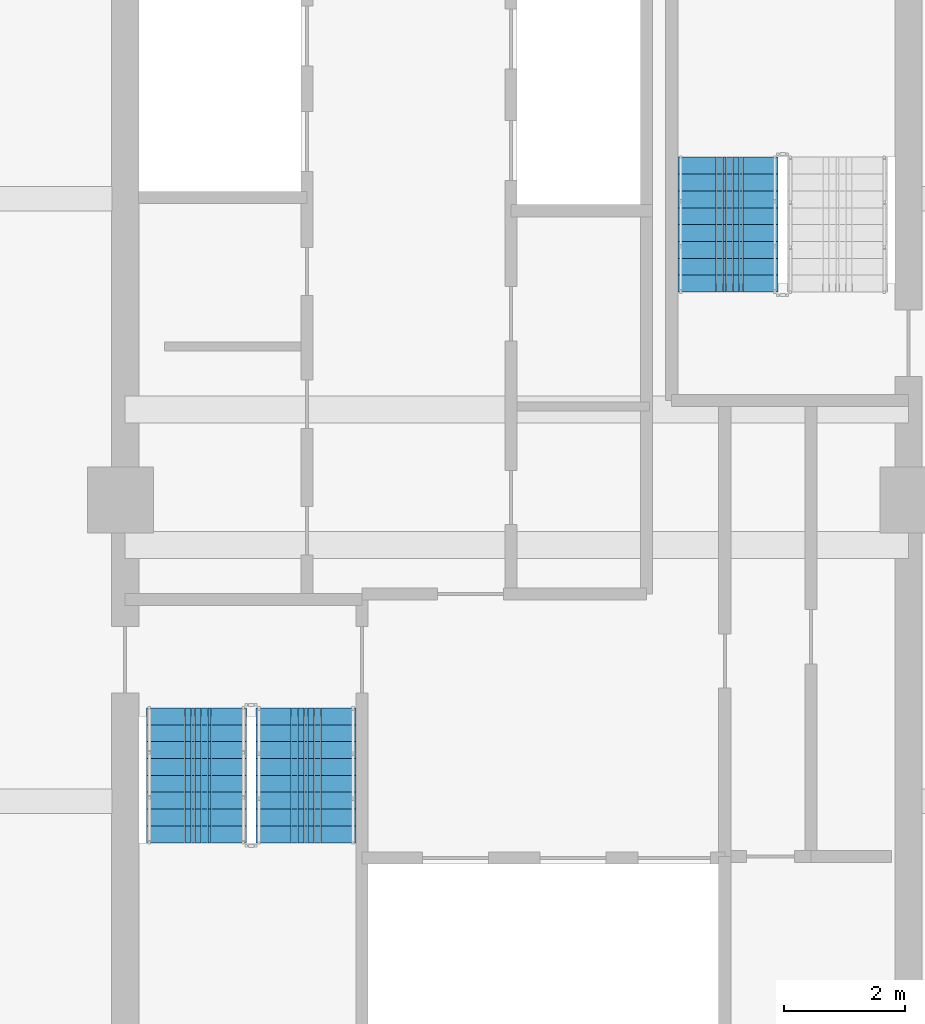
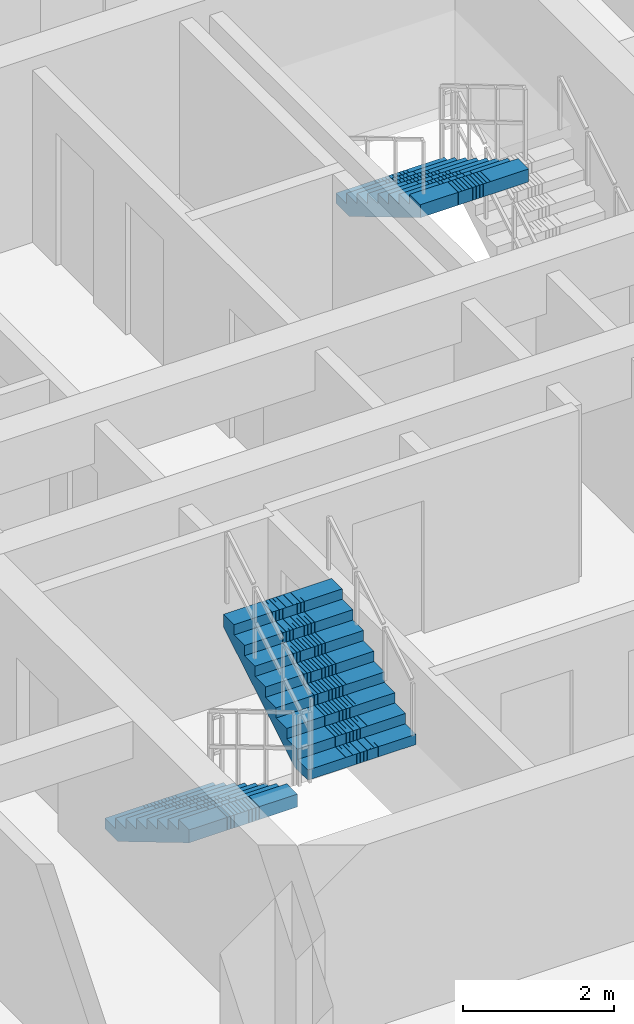
# One storey, part 16 of 22: 3 stair flights, 2 elements without a shape of their own.
"""IFC4 building model written with IfcOpenShell, lengths in metres."""

from ifc_helpers import new_model, si_unit, direction, frame, origin, place, context, subcontext, project, spatial, polyline, outline, extrude, material, type_object, element, aggregate, save


model = new_model("IFC4")

# Units and contexts
model_context = context("Model", 3, precision=1e-05, world=origin(), true_north=direction((0.0, 1.0)))
body_context = subcontext(model_context, "Body", "Model", "MODEL_VIEW")
ifc_project = project(units=[si_unit("LENGTHUNIT", "METRE"), si_unit("AREAUNIT", "SQUARE_METRE"), si_unit("VOLUMEUNIT", "CUBIC_METRE"), si_unit("PLANEANGLEUNIT", "RADIAN"), si_unit("MASSUNIT", "GRAM", prefix="KILO")], contexts=[model_context])

# Site, building, storey
site_placement = place(None, origin())
site = spatial("IfcSite", under=ifc_project, at=site_placement, CompositionType="ELEMENT")
building_placement = place(site_placement, origin())
building = spatial("IfcBuilding", under=site, at=building_placement, Name="Saelheon Loggia Tower", CompositionType="ELEMENT")
storey_placement = place(building_placement, frame((0.0, 0.0, 176.800048828125)))
storey = spatial("IfcBuildingStorey", under=building, at=storey_placement, Name="L55", CompositionType="ELEMENT", Elevation=176.800048828125)

# Stair, stair flights
ifc_material = material(Name="Concrete C40/50", Category="concrete")
stair_type = type_object("IfcStairType", Name="Stair_Escape_Core", PredefinedType="HALF_TURN_STAIR", material=ifc_material)
stair_1_placement = place(storey_placement, origin())
stair_1 = element("IfcStair", 1, at=stair_1_placement, inside=storey, type_object=stair_type, Name="L55 Special Escape Stair ST1", PredefinedType="HALF_TURN_STAIR")
stair_flight_type = type_object("IfcStairFlightType", Name="StairFlight_Tower_1660", PredefinedType="STRAIGHT", material=ifc_material)
stair_flight_1_placement = place(storey_placement, frame((32.679931640625, 23.550048828125, 0.0), z_axis=(0.0, 0.0, 1.0), x_axis=(0.0, -1.0, 0.0)))
stair_flight_1 = element("IfcStairFlight", 2, at=stair_flight_1_placement, type_object=stair_flight_type, Name="ST1 flight 1", NumberOfRisers=9, NumberOfTreads=8, PredefinedType="STRAIGHT", RiserHeight=0.166666667, TreadLength=0.28, context=body_context, shape_type="SweptSolid", body=[
    extrude(outline(polyline([(0.0, 0.0), (0.0, 0.166748046875), (0.280029296875, 0.166748046875), (0.280029296875, 0.333251953125), (0.56005859375, 0.333251953125), (0.56005859375, 0.5), (0.840087890625, 0.5), (0.840087890625, 0.666748046875), (1.1201171875, 0.666748046875), (1.1201171875, 0.833251953125), (1.39990234375, 0.833251953125), (1.39990234375, 1.0), (1.679931640625, 1.0), (1.679931640625, 1.166748046875), (1.9599609375, 1.166748046875), (1.9599609375, 1.333251953125), (2.239990234375, 1.333251953125), (2.239990234375, 1.5), (2.239990234375, 1.1240234375), (0.351806640625, 0.0), (0.0, 0.0)])), frame((0.0, -0.2490234375, 0.0), z_axis=(0.0, -1.0, 0.0), x_axis=(1.0, 0.0, 0.0)), (0.0, 0.0, 1.0), 0.5810546875),
    extrude(outline(polyline([(0.0, 0.0), (0.0, 0.166748046875), (0.280029296875, 0.166748046875), (0.280029296875, 0.333251953125), (0.56005859375, 0.333251953125), (0.56005859375, 0.5), (0.840087890625, 0.5), (0.840087890625, 0.666748046875), (1.1201171875, 0.666748046875), (1.1201171875, 0.833251953125), (1.39990234375, 0.833251953125), (1.39990234375, 1.0), (1.679931640625, 1.0), (1.679931640625, 1.166748046875), (1.9599609375, 1.166748046875), (1.9599609375, 1.333251953125), (2.239990234375, 1.333251953125), (2.239990234375, 1.5), (2.239990234375, 1.1240234375), (0.351806640625, 0.0), (0.0, 0.0)])), frame((0.0, -0.194091796875, 0.0), z_axis=(0.0, -1.0, 0.0), x_axis=(1.0, 0.0, 0.0)), (0.0, 0.0, 1.0), 0.0498046875),
    extrude(outline(polyline([(0.0, 0.0), (0.0, 0.166748046875), (0.280029296875, 0.166748046875), (0.280029296875, 0.333251953125), (0.56005859375, 0.333251953125), (0.56005859375, 0.5), (0.840087890625, 0.5), (0.840087890625, 0.666748046875), (1.1201171875, 0.666748046875), (1.1201171875, 0.833251953125), (1.39990234375, 0.833251953125), (1.39990234375, 1.0), (1.679931640625, 1.0), (1.679931640625, 1.166748046875), (1.9599609375, 1.166748046875), (1.9599609375, 1.333251953125), (2.239990234375, 1.333251953125), (2.239990234375, 1.5), (2.239990234375, 1.1240234375), (0.351806640625, 0.0), (0.0, 0.0)])), frame((0.0, -0.139404296875, 0.0), z_axis=(0.0, -1.0, 0.0), x_axis=(1.0, 0.0, 0.0)), (0.0, 0.0, 1.0), 0.0498046875),
    extrude(outline(polyline([(0.0, 0.0), (0.0, 0.166748046875), (0.280029296875, 0.166748046875), (0.280029296875, 0.333251953125), (0.56005859375, 0.333251953125), (0.56005859375, 0.5), (0.840087890625, 0.5), (0.840087890625, 0.666748046875), (1.1201171875, 0.666748046875), (1.1201171875, 0.833251953125), (1.39990234375, 0.833251953125), (1.39990234375, 1.0), (1.679931640625, 1.0), (1.679931640625, 1.166748046875), (1.9599609375, 1.166748046875), (1.9599609375, 1.333251953125), (2.239990234375, 1.333251953125), (2.239990234375, 1.5), (2.239990234375, 1.1240234375), (0.351806640625, 0.0), (0.0, 0.0)])), frame((0.0, -0.084716796875, 0.0), z_axis=(0.0, -1.0, 0.0), x_axis=(1.0, 0.0, 0.0)), (0.0, 0.0, 1.0), 0.0498046875),
    extrude(outline(polyline([(0.0, 0.0), (0.0, 0.166748046875), (0.280029296875, 0.166748046875), (0.280029296875, 0.333251953125), (0.56005859375, 0.333251953125), (0.56005859375, 0.5), (0.840087890625, 0.5), (0.840087890625, 0.666748046875), (1.1201171875, 0.666748046875), (1.1201171875, 0.833251953125), (1.39990234375, 0.833251953125), (1.39990234375, 1.0), (1.679931640625, 1.0), (1.679931640625, 1.166748046875), (1.9599609375, 1.166748046875), (1.9599609375, 1.333251953125), (2.239990234375, 1.333251953125), (2.239990234375, 1.5), (2.239990234375, 1.1240234375), (0.351806640625, 0.0), (0.0, 0.0)])), frame((0.0, -0.02978515625, 0.0), z_axis=(0.0, -1.0, 0.0), x_axis=(1.0, 0.0, 0.0)), (0.0, 0.0, 1.0), 0.0498046875),
    extrude(outline(polyline([(0.0, 0.0), (0.0, 0.166748046875), (0.280029296875, 0.166748046875), (0.280029296875, 0.333251953125), (0.56005859375, 0.333251953125), (0.56005859375, 0.5), (0.840087890625, 0.5), (0.840087890625, 0.666748046875), (1.1201171875, 0.666748046875), (1.1201171875, 0.833251953125), (1.39990234375, 0.833251953125), (1.39990234375, 1.0), (1.679931640625, 1.0), (1.679931640625, 1.166748046875), (1.9599609375, 1.166748046875), (1.9599609375, 1.333251953125), (2.239990234375, 1.333251953125), (2.239990234375, 1.5), (2.239990234375, 1.1240234375), (0.351806640625, 0.0), (0.0, 0.0)])), frame((0.0, 0.02490234375, 0.0), z_axis=(0.0, -1.0, 0.0), x_axis=(1.0, 0.0, 0.0)), (0.0, 0.0, 1.0), 0.0498046875),
    extrude(outline(polyline([(0.0, 0.0), (0.0, 0.166748046875), (0.280029296875, 0.166748046875), (0.280029296875, 0.333251953125), (0.56005859375, 0.333251953125), (0.56005859375, 0.5), (0.840087890625, 0.5), (0.840087890625, 0.666748046875), (1.1201171875, 0.666748046875), (1.1201171875, 0.833251953125), (1.39990234375, 0.833251953125), (1.39990234375, 1.0), (1.679931640625, 1.0), (1.679931640625, 1.166748046875), (1.9599609375, 1.166748046875), (1.9599609375, 1.333251953125), (2.239990234375, 1.333251953125), (2.239990234375, 1.5), (2.239990234375, 1.1240234375), (0.351806640625, 0.0), (0.0, 0.0)])), frame((0.0, 0.07958984375, 0.0), z_axis=(0.0, -1.0, 0.0), x_axis=(1.0, 0.0, 0.0)), (0.0, 0.0, 1.0), 0.0498046875),
    extrude(outline(polyline([(0.0, 0.0), (0.0, 0.166748046875), (0.280029296875, 0.166748046875), (0.280029296875, 0.333251953125), (0.56005859375, 0.333251953125), (0.56005859375, 0.5), (0.840087890625, 0.5), (0.840087890625, 0.666748046875), (1.1201171875, 0.666748046875), (1.1201171875, 0.833251953125), (1.39990234375, 0.833251953125), (1.39990234375, 1.0), (1.679931640625, 1.0), (1.679931640625, 1.166748046875), (1.9599609375, 1.166748046875), (1.9599609375, 1.333251953125), (2.239990234375, 1.333251953125), (2.239990234375, 1.5), (2.239990234375, 1.1240234375), (0.351806640625, 0.0), (0.0, 0.0)])), frame((0.0, 0.134521484375, 0.0), z_axis=(0.0, -1.0, 0.0), x_axis=(1.0, 0.0, 0.0)), (0.0, 0.0, 1.0), 0.0498046875),
    extrude(outline(polyline([(0.0, 0.0), (0.0, 0.166748046875), (0.280029296875, 0.166748046875), (0.280029296875, 0.333251953125), (0.56005859375, 0.333251953125), (0.56005859375, 0.5), (0.840087890625, 0.5), (0.840087890625, 0.666748046875), (1.1201171875, 0.666748046875), (1.1201171875, 0.833251953125), (1.39990234375, 0.833251953125), (1.39990234375, 1.0), (1.679931640625, 1.0), (1.679931640625, 1.166748046875), (1.9599609375, 1.166748046875), (1.9599609375, 1.333251953125), (2.239990234375, 1.333251953125), (2.239990234375, 1.5), (2.239990234375, 1.1240234375), (0.351806640625, 0.0), (0.0, 0.0)])), frame((0.0, 0.189208984375, 0.0), z_axis=(0.0, -1.0, 0.0), x_axis=(1.0, 0.0, 0.0)), (0.0, 0.0, 1.0), 0.0498046875),
    extrude(outline(polyline([(0.0, 0.0), (0.0, 0.166748046875), (0.280029296875, 0.166748046875), (0.280029296875, 0.333251953125), (0.56005859375, 0.333251953125), (0.56005859375, 0.5), (0.840087890625, 0.5), (0.840087890625, 0.666748046875), (1.1201171875, 0.666748046875), (1.1201171875, 0.833251953125), (1.39990234375, 0.833251953125), (1.39990234375, 1.0), (1.679931640625, 1.0), (1.679931640625, 1.166748046875), (1.9599609375, 1.166748046875), (1.9599609375, 1.333251953125), (2.239990234375, 1.333251953125), (2.239990234375, 1.5), (2.239990234375, 1.1240234375), (0.351806640625, 0.0), (0.0, 0.0)])), frame((0.0, 0.243896484375, 0.0), z_axis=(0.0, -1.0, 0.0), x_axis=(1.0, 0.0, 0.0)), (0.0, 0.0, 1.0), 0.0498046875),
    extrude(outline(polyline([(0.0, 0.0), (0.0, 0.166748046875), (0.280029296875, 0.166748046875), (0.280029296875, 0.333251953125), (0.56005859375, 0.333251953125), (0.56005859375, 0.5), (0.840087890625, 0.5), (0.840087890625, 0.666748046875), (1.1201171875, 0.666748046875), (1.1201171875, 0.833251953125), (1.39990234375, 0.833251953125), (1.39990234375, 1.0), (1.679931640625, 1.0), (1.679931640625, 1.166748046875), (1.9599609375, 1.166748046875), (1.9599609375, 1.333251953125), (2.239990234375, 1.333251953125), (2.239990234375, 1.5), (2.239990234375, 1.1240234375), (0.351806640625, 0.0), (0.0, 0.0)])), frame((0.0, 0.830078125, 0.0), z_axis=(0.0, -1.0, 0.0), x_axis=(1.0, 0.0, 0.0)), (0.0, 0.0, 1.0), 0.5810546875),
])
stair_flight_2_placement = place(storey_placement, frame((34.5, 21.31005859375, 1.5), z_axis=(0.0, 0.0, 1.0), x_axis=(0.0, 1.0, 0.0)))
stair_flight_2 = element("IfcStairFlight", 3, at=stair_flight_2_placement, type_object=stair_flight_type, Name="ST1 flight 2", NumberOfRisers=9, NumberOfTreads=8, PredefinedType="STRAIGHT", RiserHeight=0.166666667, TreadLength=0.28, context=body_context, shape_type="SweptSolid", body=[
    extrude(outline(polyline([(0.0, 0.0), (0.0, 0.166748046875), (0.280029296875, 0.166748046875), (0.280029296875, 0.333251953125), (0.56005859375, 0.333251953125), (0.56005859375, 0.5), (0.840087890625, 0.5), (0.840087890625, 0.666748046875), (1.1201171875, 0.666748046875), (1.1201171875, 0.833251953125), (1.39990234375, 0.833251953125), (1.39990234375, 1.0), (1.679931640625, 1.0), (1.679931640625, 1.166748046875), (1.9599609375, 1.166748046875), (1.9599609375, 1.333251953125), (2.239990234375, 1.333251953125), (2.239990234375, 1.5), (2.239990234375, 1.1240234375), (0.351806640625, 0.0), (0.0, 0.0)])), frame((0.0, -0.2490234375, 0.0), z_axis=(0.0, -1.0, 0.0), x_axis=(1.0, 0.0, 0.0)), (0.0, 0.0, 1.0), 0.5810546875),
    extrude(outline(polyline([(0.0, 0.0), (0.0, 0.166748046875), (0.280029296875, 0.166748046875), (0.280029296875, 0.333251953125), (0.56005859375, 0.333251953125), (0.56005859375, 0.5), (0.840087890625, 0.5), (0.840087890625, 0.666748046875), (1.1201171875, 0.666748046875), (1.1201171875, 0.833251953125), (1.39990234375, 0.833251953125), (1.39990234375, 1.0), (1.679931640625, 1.0), (1.679931640625, 1.166748046875), (1.9599609375, 1.166748046875), (1.9599609375, 1.333251953125), (2.239990234375, 1.333251953125), (2.239990234375, 1.5), (2.239990234375, 1.1240234375), (0.351806640625, 0.0), (0.0, 0.0)])), frame((0.0, -0.194091796875, 0.0), z_axis=(0.0, -1.0, 0.0), x_axis=(1.0, 0.0, 0.0)), (0.0, 0.0, 1.0), 0.0498046875),
    extrude(outline(polyline([(0.0, 0.0), (0.0, 0.166748046875), (0.280029296875, 0.166748046875), (0.280029296875, 0.333251953125), (0.56005859375, 0.333251953125), (0.56005859375, 0.5), (0.840087890625, 0.5), (0.840087890625, 0.666748046875), (1.1201171875, 0.666748046875), (1.1201171875, 0.833251953125), (1.39990234375, 0.833251953125), (1.39990234375, 1.0), (1.679931640625, 1.0), (1.679931640625, 1.166748046875), (1.9599609375, 1.166748046875), (1.9599609375, 1.333251953125), (2.239990234375, 1.333251953125), (2.239990234375, 1.5), (2.239990234375, 1.1240234375), (0.351806640625, 0.0), (0.0, 0.0)])), frame((0.0, -0.139404296875, 0.0), z_axis=(0.0, -1.0, 0.0), x_axis=(1.0, 0.0, 0.0)), (0.0, 0.0, 1.0), 0.0498046875),
    extrude(outline(polyline([(0.0, 0.0), (0.0, 0.166748046875), (0.280029296875, 0.166748046875), (0.280029296875, 0.333251953125), (0.56005859375, 0.333251953125), (0.56005859375, 0.5), (0.840087890625, 0.5), (0.840087890625, 0.666748046875), (1.1201171875, 0.666748046875), (1.1201171875, 0.833251953125), (1.39990234375, 0.833251953125), (1.39990234375, 1.0), (1.679931640625, 1.0), (1.679931640625, 1.166748046875), (1.9599609375, 1.166748046875), (1.9599609375, 1.333251953125), (2.239990234375, 1.333251953125), (2.239990234375, 1.5), (2.239990234375, 1.1240234375), (0.351806640625, 0.0), (0.0, 0.0)])), frame((0.0, -0.084716796875, 0.0), z_axis=(0.0, -1.0, 0.0), x_axis=(1.0, 0.0, 0.0)), (0.0, 0.0, 1.0), 0.0498046875),
    extrude(outline(polyline([(0.0, 0.0), (0.0, 0.166748046875), (0.280029296875, 0.166748046875), (0.280029296875, 0.333251953125), (0.56005859375, 0.333251953125), (0.56005859375, 0.5), (0.840087890625, 0.5), (0.840087890625, 0.666748046875), (1.1201171875, 0.666748046875), (1.1201171875, 0.833251953125), (1.39990234375, 0.833251953125), (1.39990234375, 1.0), (1.679931640625, 1.0), (1.679931640625, 1.166748046875), (1.9599609375, 1.166748046875), (1.9599609375, 1.333251953125), (2.239990234375, 1.333251953125), (2.239990234375, 1.5), (2.239990234375, 1.1240234375), (0.351806640625, 0.0), (0.0, 0.0)])), frame((0.0, -0.02978515625, 0.0), z_axis=(0.0, -1.0, 0.0), x_axis=(1.0, 0.0, 0.0)), (0.0, 0.0, 1.0), 0.0498046875),
    extrude(outline(polyline([(0.0, 0.0), (0.0, 0.166748046875), (0.280029296875, 0.166748046875), (0.280029296875, 0.333251953125), (0.56005859375, 0.333251953125), (0.56005859375, 0.5), (0.840087890625, 0.5), (0.840087890625, 0.666748046875), (1.1201171875, 0.666748046875), (1.1201171875, 0.833251953125), (1.39990234375, 0.833251953125), (1.39990234375, 1.0), (1.679931640625, 1.0), (1.679931640625, 1.166748046875), (1.9599609375, 1.166748046875), (1.9599609375, 1.333251953125), (2.239990234375, 1.333251953125), (2.239990234375, 1.5), (2.239990234375, 1.1240234375), (0.351806640625, 0.0), (0.0, 0.0)])), frame((0.0, 0.02490234375, 0.0), z_axis=(0.0, -1.0, 0.0), x_axis=(1.0, 0.0, 0.0)), (0.0, 0.0, 1.0), 0.0498046875),
    extrude(outline(polyline([(0.0, 0.0), (0.0, 0.166748046875), (0.280029296875, 0.166748046875), (0.280029296875, 0.333251953125), (0.56005859375, 0.333251953125), (0.56005859375, 0.5), (0.840087890625, 0.5), (0.840087890625, 0.666748046875), (1.1201171875, 0.666748046875), (1.1201171875, 0.833251953125), (1.39990234375, 0.833251953125), (1.39990234375, 1.0), (1.679931640625, 1.0), (1.679931640625, 1.166748046875), (1.9599609375, 1.166748046875), (1.9599609375, 1.333251953125), (2.239990234375, 1.333251953125), (2.239990234375, 1.5), (2.239990234375, 1.1240234375), (0.351806640625, 0.0), (0.0, 0.0)])), frame((0.0, 0.07958984375, 0.0), z_axis=(0.0, -1.0, 0.0), x_axis=(1.0, 0.0, 0.0)), (0.0, 0.0, 1.0), 0.0498046875),
    extrude(outline(polyline([(0.0, 0.0), (0.0, 0.166748046875), (0.280029296875, 0.166748046875), (0.280029296875, 0.333251953125), (0.56005859375, 0.333251953125), (0.56005859375, 0.5), (0.840087890625, 0.5), (0.840087890625, 0.666748046875), (1.1201171875, 0.666748046875), (1.1201171875, 0.833251953125), (1.39990234375, 0.833251953125), (1.39990234375, 1.0), (1.679931640625, 1.0), (1.679931640625, 1.166748046875), (1.9599609375, 1.166748046875), (1.9599609375, 1.333251953125), (2.239990234375, 1.333251953125), (2.239990234375, 1.5), (2.239990234375, 1.1240234375), (0.351806640625, 0.0), (0.0, 0.0)])), frame((0.0, 0.134521484375, 0.0), z_axis=(0.0, -1.0, 0.0), x_axis=(1.0, 0.0, 0.0)), (0.0, 0.0, 1.0), 0.0498046875),
    extrude(outline(polyline([(0.0, 0.0), (0.0, 0.166748046875), (0.280029296875, 0.166748046875), (0.280029296875, 0.333251953125), (0.56005859375, 0.333251953125), (0.56005859375, 0.5), (0.840087890625, 0.5), (0.840087890625, 0.666748046875), (1.1201171875, 0.666748046875), (1.1201171875, 0.833251953125), (1.39990234375, 0.833251953125), (1.39990234375, 1.0), (1.679931640625, 1.0), (1.679931640625, 1.166748046875), (1.9599609375, 1.166748046875), (1.9599609375, 1.333251953125), (2.239990234375, 1.333251953125), (2.239990234375, 1.5), (2.239990234375, 1.1240234375), (0.351806640625, 0.0), (0.0, 0.0)])), frame((0.0, 0.189208984375, 0.0), z_axis=(0.0, -1.0, 0.0), x_axis=(1.0, 0.0, 0.0)), (0.0, 0.0, 1.0), 0.0498046875),
    extrude(outline(polyline([(0.0, 0.0), (0.0, 0.166748046875), (0.280029296875, 0.166748046875), (0.280029296875, 0.333251953125), (0.56005859375, 0.333251953125), (0.56005859375, 0.5), (0.840087890625, 0.5), (0.840087890625, 0.666748046875), (1.1201171875, 0.666748046875), (1.1201171875, 0.833251953125), (1.39990234375, 0.833251953125), (1.39990234375, 1.0), (1.679931640625, 1.0), (1.679931640625, 1.166748046875), (1.9599609375, 1.166748046875), (1.9599609375, 1.333251953125), (2.239990234375, 1.333251953125), (2.239990234375, 1.5), (2.239990234375, 1.1240234375), (0.351806640625, 0.0), (0.0, 0.0)])), frame((0.0, 0.243896484375, 0.0), z_axis=(0.0, -1.0, 0.0), x_axis=(1.0, 0.0, 0.0)), (0.0, 0.0, 1.0), 0.0498046875),
    extrude(outline(polyline([(0.0, 0.0), (0.0, 0.166748046875), (0.280029296875, 0.166748046875), (0.280029296875, 0.333251953125), (0.56005859375, 0.333251953125), (0.56005859375, 0.5), (0.840087890625, 0.5), (0.840087890625, 0.666748046875), (1.1201171875, 0.666748046875), (1.1201171875, 0.833251953125), (1.39990234375, 0.833251953125), (1.39990234375, 1.0), (1.679931640625, 1.0), (1.679931640625, 1.166748046875), (1.9599609375, 1.166748046875), (1.9599609375, 1.333251953125), (2.239990234375, 1.333251953125), (2.239990234375, 1.5), (2.239990234375, 1.1240234375), (0.351806640625, 0.0), (0.0, 0.0)])), frame((0.0, 0.830078125, 0.0), z_axis=(0.0, -1.0, 0.0), x_axis=(1.0, 0.0, 0.0)), (0.0, 0.0, 1.0), 0.5810546875),
])
aggregate(stair_1, [stair_flight_1, stair_flight_2])

# Stair, stair flight
stair_2_placement = place(storey_placement, origin())
stair_2 = element("IfcStair", 4, at=stair_2_placement, inside=storey, type_object=stair_type, Name="L55 Special Escape Stair ST2", PredefinedType="HALF_TURN_STAIR")
stair_flight_3_placement = place(storey_placement, frame((41.5, 32.68994140625, 1.5), z_axis=(0.0, 0.0, 1.0), x_axis=(0.0, -1.0, 0.0)))
stair_flight_3 = element("IfcStairFlight", 5, at=stair_flight_3_placement, type_object=stair_flight_type, Name="ST2 flight 2", NumberOfRisers=9, NumberOfTreads=8, PredefinedType="STRAIGHT", RiserHeight=0.166666667, TreadLength=0.28, context=body_context, shape_type="SweptSolid", body=[
    extrude(outline(polyline([(0.0, 0.0), (0.0, 0.166748046875), (0.280029296875, 0.166748046875), (0.280029296875, 0.333251953125), (0.56005859375, 0.333251953125), (0.56005859375, 0.5), (0.840087890625, 0.5), (0.840087890625, 0.666748046875), (1.1201171875, 0.666748046875), (1.1201171875, 0.833251953125), (1.39990234375, 0.833251953125), (1.39990234375, 1.0), (1.679931640625, 1.0), (1.679931640625, 1.166748046875), (1.9599609375, 1.166748046875), (1.9599609375, 1.333251953125), (2.239990234375, 1.333251953125), (2.239990234375, 1.5), (2.239990234375, 1.1240234375), (0.351806640625, 0.0), (0.0, 0.0)])), frame((0.0, -0.2490234375, 0.0), z_axis=(0.0, -1.0, 0.0), x_axis=(1.0, 0.0, 0.0)), (0.0, 0.0, 1.0), 0.5810546875),
    extrude(outline(polyline([(0.0, 0.0), (0.0, 0.166748046875), (0.280029296875, 0.166748046875), (0.280029296875, 0.333251953125), (0.56005859375, 0.333251953125), (0.56005859375, 0.5), (0.840087890625, 0.5), (0.840087890625, 0.666748046875), (1.1201171875, 0.666748046875), (1.1201171875, 0.833251953125), (1.39990234375, 0.833251953125), (1.39990234375, 1.0), (1.679931640625, 1.0), (1.679931640625, 1.166748046875), (1.9599609375, 1.166748046875), (1.9599609375, 1.333251953125), (2.239990234375, 1.333251953125), (2.239990234375, 1.5), (2.239990234375, 1.1240234375), (0.351806640625, 0.0), (0.0, 0.0)])), frame((0.0, -0.194091796875, 0.0), z_axis=(0.0, -1.0, 0.0), x_axis=(1.0, 0.0, 0.0)), (0.0, 0.0, 1.0), 0.0498046875),
    extrude(outline(polyline([(0.0, 0.0), (0.0, 0.166748046875), (0.280029296875, 0.166748046875), (0.280029296875, 0.333251953125), (0.56005859375, 0.333251953125), (0.56005859375, 0.5), (0.840087890625, 0.5), (0.840087890625, 0.666748046875), (1.1201171875, 0.666748046875), (1.1201171875, 0.833251953125), (1.39990234375, 0.833251953125), (1.39990234375, 1.0), (1.679931640625, 1.0), (1.679931640625, 1.166748046875), (1.9599609375, 1.166748046875), (1.9599609375, 1.333251953125), (2.239990234375, 1.333251953125), (2.239990234375, 1.5), (2.239990234375, 1.1240234375), (0.351806640625, 0.0), (0.0, 0.0)])), frame((0.0, -0.139404296875, 0.0), z_axis=(0.0, -1.0, 0.0), x_axis=(1.0, 0.0, 0.0)), (0.0, 0.0, 1.0), 0.0498046875),
    extrude(outline(polyline([(0.0, 0.0), (0.0, 0.166748046875), (0.280029296875, 0.166748046875), (0.280029296875, 0.333251953125), (0.56005859375, 0.333251953125), (0.56005859375, 0.5), (0.840087890625, 0.5), (0.840087890625, 0.666748046875), (1.1201171875, 0.666748046875), (1.1201171875, 0.833251953125), (1.39990234375, 0.833251953125), (1.39990234375, 1.0), (1.679931640625, 1.0), (1.679931640625, 1.166748046875), (1.9599609375, 1.166748046875), (1.9599609375, 1.333251953125), (2.239990234375, 1.333251953125), (2.239990234375, 1.5), (2.239990234375, 1.1240234375), (0.351806640625, 0.0), (0.0, 0.0)])), frame((0.0, -0.084716796875, 0.0), z_axis=(0.0, -1.0, 0.0), x_axis=(1.0, 0.0, 0.0)), (0.0, 0.0, 1.0), 0.0498046875),
    extrude(outline(polyline([(0.0, 0.0), (0.0, 0.166748046875), (0.280029296875, 0.166748046875), (0.280029296875, 0.333251953125), (0.56005859375, 0.333251953125), (0.56005859375, 0.5), (0.840087890625, 0.5), (0.840087890625, 0.666748046875), (1.1201171875, 0.666748046875), (1.1201171875, 0.833251953125), (1.39990234375, 0.833251953125), (1.39990234375, 1.0), (1.679931640625, 1.0), (1.679931640625, 1.166748046875), (1.9599609375, 1.166748046875), (1.9599609375, 1.333251953125), (2.239990234375, 1.333251953125), (2.239990234375, 1.5), (2.239990234375, 1.1240234375), (0.351806640625, 0.0), (0.0, 0.0)])), frame((0.0, -0.02978515625, 0.0), z_axis=(0.0, -1.0, 0.0), x_axis=(1.0, 0.0, 0.0)), (0.0, 0.0, 1.0), 0.0498046875),
    extrude(outline(polyline([(0.0, 0.0), (0.0, 0.166748046875), (0.280029296875, 0.166748046875), (0.280029296875, 0.333251953125), (0.56005859375, 0.333251953125), (0.56005859375, 0.5), (0.840087890625, 0.5), (0.840087890625, 0.666748046875), (1.1201171875, 0.666748046875), (1.1201171875, 0.833251953125), (1.39990234375, 0.833251953125), (1.39990234375, 1.0), (1.679931640625, 1.0), (1.679931640625, 1.166748046875), (1.9599609375, 1.166748046875), (1.9599609375, 1.333251953125), (2.239990234375, 1.333251953125), (2.239990234375, 1.5), (2.239990234375, 1.1240234375), (0.351806640625, 0.0), (0.0, 0.0)])), frame((0.0, 0.02490234375, 0.0), z_axis=(0.0, -1.0, 0.0), x_axis=(1.0, 0.0, 0.0)), (0.0, 0.0, 1.0), 0.0498046875),
    extrude(outline(polyline([(0.0, 0.0), (0.0, 0.166748046875), (0.280029296875, 0.166748046875), (0.280029296875, 0.333251953125), (0.56005859375, 0.333251953125), (0.56005859375, 0.5), (0.840087890625, 0.5), (0.840087890625, 0.666748046875), (1.1201171875, 0.666748046875), (1.1201171875, 0.833251953125), (1.39990234375, 0.833251953125), (1.39990234375, 1.0), (1.679931640625, 1.0), (1.679931640625, 1.166748046875), (1.9599609375, 1.166748046875), (1.9599609375, 1.333251953125), (2.239990234375, 1.333251953125), (2.239990234375, 1.5), (2.239990234375, 1.1240234375), (0.351806640625, 0.0), (0.0, 0.0)])), frame((0.0, 0.07958984375, 0.0), z_axis=(0.0, -1.0, 0.0), x_axis=(1.0, 0.0, 0.0)), (0.0, 0.0, 1.0), 0.0498046875),
    extrude(outline(polyline([(0.0, 0.0), (0.0, 0.166748046875), (0.280029296875, 0.166748046875), (0.280029296875, 0.333251953125), (0.56005859375, 0.333251953125), (0.56005859375, 0.5), (0.840087890625, 0.5), (0.840087890625, 0.666748046875), (1.1201171875, 0.666748046875), (1.1201171875, 0.833251953125), (1.39990234375, 0.833251953125), (1.39990234375, 1.0), (1.679931640625, 1.0), (1.679931640625, 1.166748046875), (1.9599609375, 1.166748046875), (1.9599609375, 1.333251953125), (2.239990234375, 1.333251953125), (2.239990234375, 1.5), (2.239990234375, 1.1240234375), (0.351806640625, 0.0), (0.0, 0.0)])), frame((0.0, 0.134521484375, 0.0), z_axis=(0.0, -1.0, 0.0), x_axis=(1.0, 0.0, 0.0)), (0.0, 0.0, 1.0), 0.0498046875),
    extrude(outline(polyline([(0.0, 0.0), (0.0, 0.166748046875), (0.280029296875, 0.166748046875), (0.280029296875, 0.333251953125), (0.56005859375, 0.333251953125), (0.56005859375, 0.5), (0.840087890625, 0.5), (0.840087890625, 0.666748046875), (1.1201171875, 0.666748046875), (1.1201171875, 0.833251953125), (1.39990234375, 0.833251953125), (1.39990234375, 1.0), (1.679931640625, 1.0), (1.679931640625, 1.166748046875), (1.9599609375, 1.166748046875), (1.9599609375, 1.333251953125), (2.239990234375, 1.333251953125), (2.239990234375, 1.5), (2.239990234375, 1.1240234375), (0.351806640625, 0.0), (0.0, 0.0)])), frame((0.0, 0.189208984375, 0.0), z_axis=(0.0, -1.0, 0.0), x_axis=(1.0, 0.0, 0.0)), (0.0, 0.0, 1.0), 0.0498046875),
    extrude(outline(polyline([(0.0, 0.0), (0.0, 0.166748046875), (0.280029296875, 0.166748046875), (0.280029296875, 0.333251953125), (0.56005859375, 0.333251953125), (0.56005859375, 0.5), (0.840087890625, 0.5), (0.840087890625, 0.666748046875), (1.1201171875, 0.666748046875), (1.1201171875, 0.833251953125), (1.39990234375, 0.833251953125), (1.39990234375, 1.0), (1.679931640625, 1.0), (1.679931640625, 1.166748046875), (1.9599609375, 1.166748046875), (1.9599609375, 1.333251953125), (2.239990234375, 1.333251953125), (2.239990234375, 1.5), (2.239990234375, 1.1240234375), (0.351806640625, 0.0), (0.0, 0.0)])), frame((0.0, 0.243896484375, 0.0), z_axis=(0.0, -1.0, 0.0), x_axis=(1.0, 0.0, 0.0)), (0.0, 0.0, 1.0), 0.0498046875),
    extrude(outline(polyline([(0.0, 0.0), (0.0, 0.166748046875), (0.280029296875, 0.166748046875), (0.280029296875, 0.333251953125), (0.56005859375, 0.333251953125), (0.56005859375, 0.5), (0.840087890625, 0.5), (0.840087890625, 0.666748046875), (1.1201171875, 0.666748046875), (1.1201171875, 0.833251953125), (1.39990234375, 0.833251953125), (1.39990234375, 1.0), (1.679931640625, 1.0), (1.679931640625, 1.166748046875), (1.9599609375, 1.166748046875), (1.9599609375, 1.333251953125), (2.239990234375, 1.333251953125), (2.239990234375, 1.5), (2.239990234375, 1.1240234375), (0.351806640625, 0.0), (0.0, 0.0)])), frame((0.0, 0.830078125, 0.0), z_axis=(0.0, -1.0, 0.0), x_axis=(1.0, 0.0, 0.0)), (0.0, 0.0, 1.0), 0.5810546875),
])
aggregate(stair_2, [stair_flight_3])

save(model, "model.ifc")
